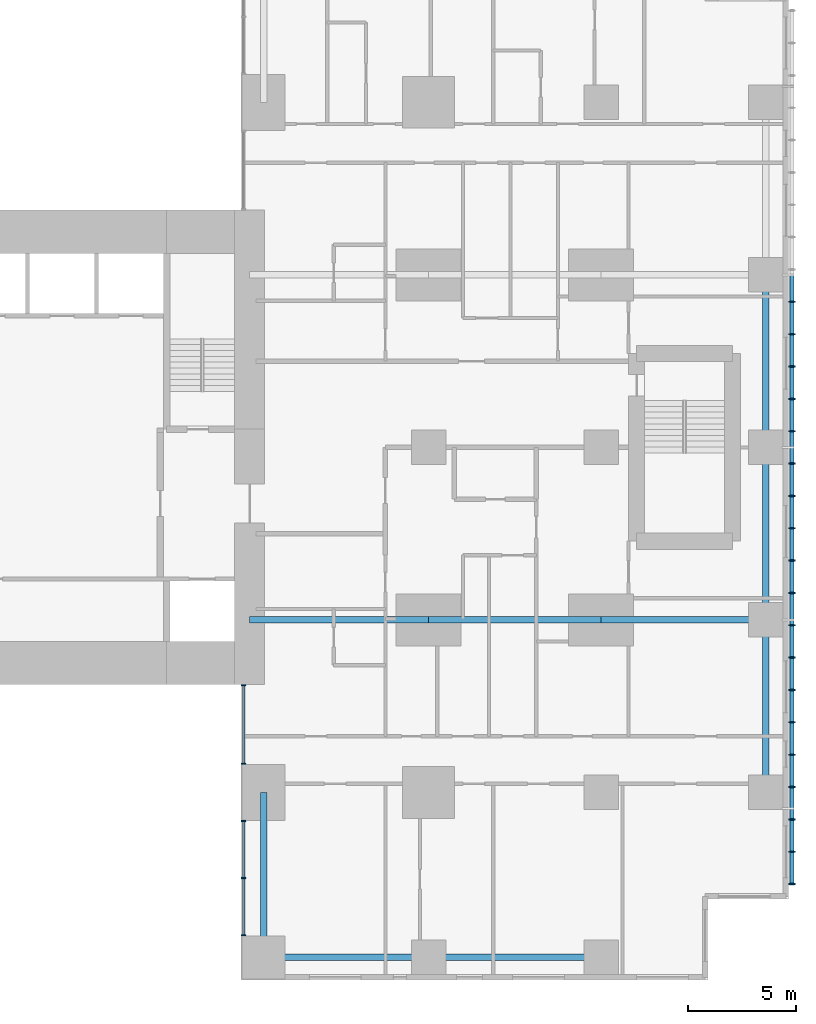
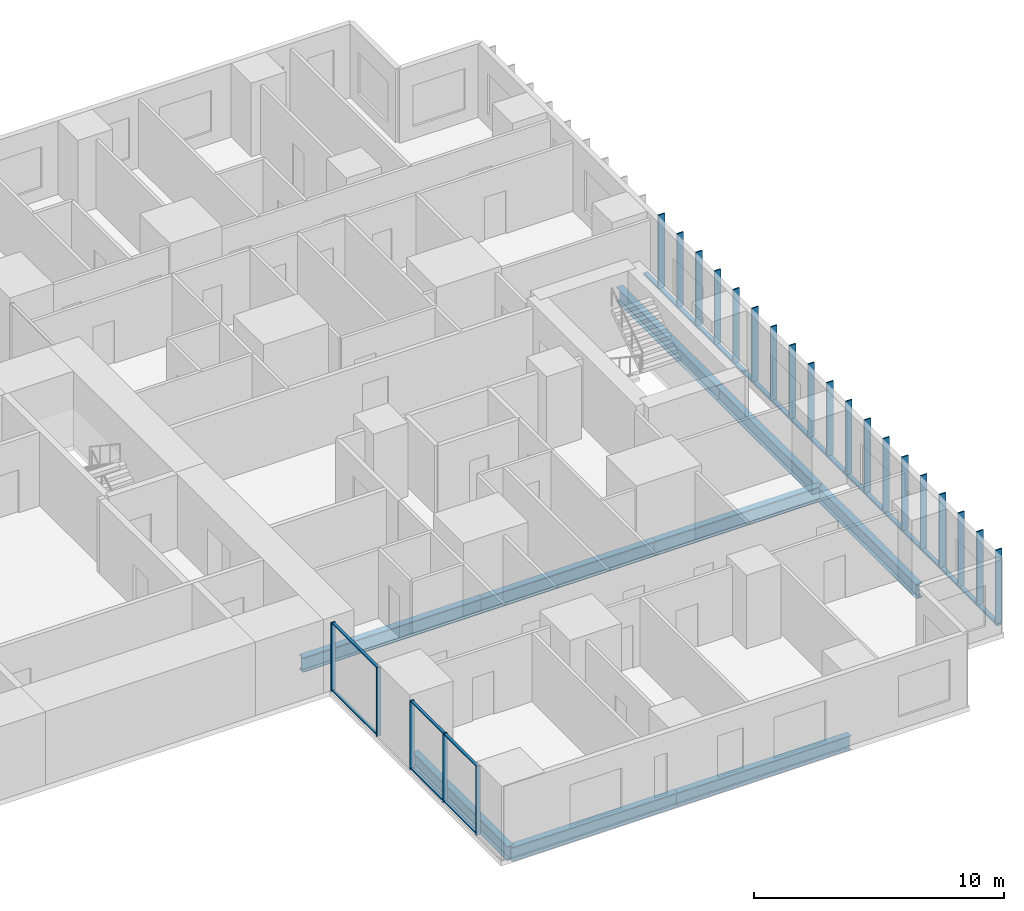
# One storey, part 2 of 12: 33 members, 9 beams, 2 elements without a shape of their own.
"""IFC4 building model written with IfcOpenShell, lengths in metres."""

from ifc_helpers import new_model, si_unit, direction, frame, origin, origin_2d, place, context, subcontext, project, spatial, rectangle, hollow_rectangle, i_section, extrude, material, layer, layer_set, material_profile, profile_set, type_object, element, aggregate, save


model = new_model("IFC4")

# Units and contexts
model_context = context("Model", 3, precision=1e-05, world=origin(), true_north=direction((0.0, 1.0)))
body_context = subcontext(model_context, "Body", "Model", "MODEL_VIEW")
ifc_project = project(units=[si_unit("LENGTHUNIT", "METRE"), si_unit("AREAUNIT", "SQUARE_METRE"), si_unit("VOLUMEUNIT", "CUBIC_METRE"), si_unit("PLANEANGLEUNIT", "RADIAN"), si_unit("MASSUNIT", "GRAM", prefix="KILO")], contexts=[model_context])

# Site, building, storey
site_placement = place(None, origin())
site = spatial("IfcSite", under=ifc_project, at=site_placement, CompositionType="ELEMENT")
building_placement = place(site_placement, origin())
building = spatial("IfcBuilding", under=site, at=building_placement, Name="Cleftline Residences", CompositionType="ELEMENT")
storey_placement = place(building_placement, frame((0.0, 0.0, 244.800048828125)))
storey = spatial("IfcBuildingStorey", under=building, at=storey_placement, Name="L64", CompositionType="ELEMENT", Elevation=244.800048828125)

# Members
ifc_material_1 = material(Name="Steel S355, hot-dip galvanised", Category="steel")
ifc_material_profile_1 = material_profile(ifc_material_1, hollow_rectangle(XDim=0.10009765625, YDim=0.199951171875, WallThickness=0.008056640625, InnerFilletRadius=0.008056640625, OuterFilletRadius=0.011962890625, at=origin_2d()))
ifc_profile_set_1 = profile_set([ifc_material_profile_1], Name="Steel S355, hot-dip galvanised")
member_type_1 = type_object("IfcMemberType", Name="BAGUETTE CARRIER RHS 200X100X8", PredefinedType="USERDEFINED", material=ifc_profile_set_1)
member_1_placement = place(storey_placement, frame((66.85009765625, 3.699951171875, -0.050048828125), z_axis=(0.0, 1.0, 0.0), x_axis=(0.0, 0.0, 1.0)))
element("IfcMember", 1, at=member_1_placement, inside=storey, type_object=member_type_1, Name="Baguette carrier", ObjectType="BAGUETTE CARRIER", PredefinedType="USERDEFINED", context=body_context, shape_type="SweptSolid", body=[
    extrude(hollow_rectangle(XDim=0.10009765625, YDim=0.199951171875, WallThickness=0.008056640625, InnerFilletRadius=0.008056640625, OuterFilletRadius=0.011962890625, at=origin_2d()), origin(), (0.0, 0.0, 1.0), 12.300048828125),
])
for number, where, z_axis, x_axis, name in (
    (2, (66.85009765625, 16.0, -0.050048828125), (0.0, 1.0, 0.0), (0.0, 0.0, 1.0), "Baguette carrier"),
    (3, (66.85009765625, 24.0, -0.050048828125), (0.0, 1.0, 0.0), (0.0, 0.0, 1.0), "Baguette carrier"),
):
    element("IfcMember", number, at=place(storey_placement, frame(where, z_axis=z_axis, x_axis=x_axis)), inside=storey, type_object=member_type_1, Name=name, ObjectType="BAGUETTE CARRIER", PredefinedType="USERDEFINED", context=body_context, shape_type="SweptSolid", body=[
        extrude(hollow_rectangle(XDim=0.10009765625, YDim=0.199951171875, WallThickness=0.008056640625, InnerFilletRadius=0.008056640625, OuterFilletRadius=0.011962890625, at=origin_2d()), origin(), (0.0, 0.0, 1.0), 8.0),
    ])

# Beams
ifc_material_2 = material(Name="Steel S355", Category="steel")
ifc_material_profile_2 = material_profile(ifc_material_2, i_section(OverallWidth=0.300048828125, OverallDepth=0.699951171875, WebThickness=0.01708984375, FlangeThickness=0.031982421875, FilletRadius=0.027099609375, at=origin_2d()))
ifc_profile_set_2 = profile_set([ifc_material_profile_2], Name="Steel S355")
beam_type_1 = type_object("IfcBeamType", Name="BEAM HEB 700", PredefinedType="BEAM", material=ifc_profile_set_2)
for number, where, z_axis, x_axis, name in (
    (4, (65.64990234375, 8.0, -0.60009765625), (0.0, 1.0, 0.0), (-1.0, 0.0, 0.0), "Edge beam"),
    (5, (65.64990234375, 16.0, -0.60009765625), (0.0, 1.0, 0.0), (-1.0, 0.0, 0.0), "Edge beam"),
    (6, (65.64990234375, 24.0, -0.60009765625), (0.0, 1.0, 0.0), (-1.0, 0.0, 0.0), "Edge beam"),
    (7, (58.0, 0.35009765625, -0.60009765625), (-1.0, 0.0, 0.0), (0.0, -1.0, 0.0), "Edge beam"),
):
    element("IfcBeam", number, at=place(storey_placement, frame(where, z_axis=z_axis, x_axis=x_axis)), inside=storey, type_object=beam_type_1, Name=name, PredefinedType="BEAM", context=body_context, shape_type="SweptSolid", body=[
        extrude(i_section(OverallWidth=0.300048828125, OverallDepth=0.699951171875, WebThickness=0.01708984375, FlangeThickness=0.031982421875, FilletRadius=0.027099609375, at=origin_2d()), origin(), (0.0, 0.0, 1.0), 8.0),
    ])
for number, where, z_axis, x_axis, name in (
    (8, (50.0, 0.35009765625, -0.60009765625), (-1.0, 0.0, 0.0), (0.0, -1.0, 0.0), "Edge beam"),
    (9, (42.35009765625, 0.35009765625, -0.60009765625), (0.0, 1.0, 0.0), (-1.0, 0.0, 0.0), "Edge beam"),
):
    element("IfcBeam", number, at=place(storey_placement, frame(where, z_axis=z_axis, x_axis=x_axis)), inside=storey, type_object=beam_type_1, Name=name, PredefinedType="BEAM", context=body_context, shape_type="SweptSolid", body=[
        extrude(i_section(OverallWidth=0.300048828125, OverallDepth=0.699951171875, WebThickness=0.01708984375, FlangeThickness=0.031982421875, FilletRadius=0.027099609375, at=origin_2d()), origin(), (0.0, 0.0, 1.0), 7.64990234375),
    ])
ifc_material_3 = material(Name="Steel S355", Category="steel")
ifc_material_profile_3 = material_profile(ifc_material_3, i_section(OverallWidth=0.303955078125, OverallDepth=0.716064453125, WebThickness=0.02099609375, FlangeThickness=0.0400390625, FilletRadius=0.027099609375, at=origin_2d()))
ifc_profile_set_3 = profile_set([ifc_material_profile_3], Name="Steel S355")
beam_type_2 = type_object("IfcBeamType", Name="BEAM HEM 700", PredefinedType="BEAM", material=ifc_profile_set_3)
beam_1_placement = place(storey_placement, frame((65.64990234375, 16.0, -0.608154296875), z_axis=(-1.0, 0.0, 0.0), x_axis=(0.0, -1.0, 0.0)))
element("IfcBeam", 10, at=beam_1_placement, inside=storey, type_object=beam_type_2, Name="Band beam", PredefinedType="BEAM", context=body_context, shape_type="SweptSolid", body=[
    extrude(i_section(OverallWidth=0.303955078125, OverallDepth=0.716064453125, WebThickness=0.02099609375, FlangeThickness=0.0400390625, FilletRadius=0.027099609375, at=origin_2d()), origin(), (0.0, 0.0, 1.0), 7.64990234375),
])
beam_2_placement = place(storey_placement, frame((58.0, 16.0, -0.608154296875), z_axis=(-1.0, 0.0, 0.0), x_axis=(0.0, -1.0, 0.0)))
element("IfcBeam", 11, at=beam_2_placement, inside=storey, type_object=beam_type_2, Name="Band beam", PredefinedType="BEAM", context=body_context, shape_type="SweptSolid", body=[
    extrude(i_section(OverallWidth=0.303955078125, OverallDepth=0.716064453125, WebThickness=0.02099609375, FlangeThickness=0.0400390625, FilletRadius=0.027099609375, at=origin_2d()), origin(), (0.0, 0.0, 1.0), 8.0),
])
beam_3_placement = place(storey_placement, frame((50.0, 16.0, -0.608154296875), z_axis=(-1.0, 0.0, 0.0), x_axis=(0.0, -1.0, 0.0)))
element("IfcBeam", 12, at=beam_3_placement, inside=storey, type_object=beam_type_2, Name="Band beam", PredefinedType="BEAM", context=body_context, shape_type="SweptSolid", body=[
    extrude(i_section(OverallWidth=0.303955078125, OverallDepth=0.716064453125, WebThickness=0.02099609375, FlangeThickness=0.0400390625, FilletRadius=0.027099609375, at=origin_2d()), origin(), (0.0, 0.0, 1.0), 8.300048828125),
])

# Curtain wall, members
ifc_material_4 = material(Name="Aluminium framed curtain wall", Category="aluminium")
ifc_layer = layer(ifc_material_4, 0.199951171875)
ifc_layer_set = layer_set([ifc_layer], Name="CW1 CLEFT GLAZING")
curtain_wall_type = type_object("IfcCurtainWallType", Name="CW1 CLEFT GLAZING", PredefinedType="NOTDEFINED", material=ifc_layer_set)
curtain_wall_1_placement = place(storey_placement, origin())
curtain_wall_1 = element("IfcCurtainWall", 13, at=curtain_wall_1_placement, inside=storey, type_object=curtain_wall_type, Name="Curtain wall CW1", PredefinedType="NOTDEFINED")
ifc_material_5 = material(Name="Aluminium mullion", Category="aluminium")
ifc_material_profile_4 = material_profile(ifc_material_5, rectangle(XDim=0.199951171875, YDim=0.06005859375, at=origin_2d()))
ifc_profile_set_4 = profile_set([ifc_material_profile_4], Name="Aluminium mullion")
member_type_2 = type_object("IfcMemberType", Name="CW1 MULLION", PredefinedType="MULLION", material=ifc_profile_set_4)
member_2_placement = place(storey_placement, frame((41.425048828125, 12.969970703125, 0.0), z_axis=(0.0, 0.0, 1.0), x_axis=(1.0, 0.0, 0.0)))
member_2 = element("IfcMember", 14, at=member_2_placement, type_object=member_type_2, Name="CW1 mullion 1", PredefinedType="MULLION", context=body_context, shape_type="SweptSolid", body=[
    extrude(rectangle(XDim=0.199951171875, YDim=0.06005859375, at=origin_2d()), origin(), (0.0, 0.0, 1.0), 3.349853515625),
])
member_3_placement = place(storey_placement, frame((41.425048828125, 9.330078125, 0.0), z_axis=(0.0, 0.0, 1.0), x_axis=(1.0, 0.0, 0.0)))
member_3 = element("IfcMember", 15, at=member_3_placement, type_object=member_type_2, Name="CW1 mullion 2", PredefinedType="MULLION", context=body_context, shape_type="SweptSolid", body=[
    extrude(rectangle(XDim=0.199951171875, YDim=0.06005859375, at=origin_2d()), origin(), (0.0, 0.0, 1.0), 3.349853515625),
])

curtain_wall_2_placement = place(storey_placement, origin())
curtain_wall_2 = element("IfcCurtainWall", 16, at=curtain_wall_2_placement, inside=storey, type_object=curtain_wall_type, Name="Curtain wall CW1", PredefinedType="NOTDEFINED")
member_4_placement = place(storey_placement, frame((41.425048828125, 6.669921875, 0.0), z_axis=(0.0, 0.0, 1.0), x_axis=(1.0, 0.0, 0.0)))
member_4 = element("IfcMember", 17, at=member_4_placement, type_object=member_type_2, Name="CW1 mullion 1", PredefinedType="MULLION", context=body_context, shape_type="SweptSolid", body=[
    extrude(rectangle(XDim=0.199951171875, YDim=0.06005859375, at=origin_2d()), origin(), (0.0, 0.0, 1.0), 3.349853515625),
])
member_5_placement = place(storey_placement, frame((41.425048828125, 4.02490234375, 0.0), z_axis=(0.0, 0.0, 1.0), x_axis=(1.0, 0.0, 0.0)))
member_5 = element("IfcMember", 18, at=member_5_placement, type_object=member_type_2, Name="CW1 mullion 2", PredefinedType="MULLION", context=body_context, shape_type="SweptSolid", body=[
    extrude(rectangle(XDim=0.199951171875, YDim=0.06005859375, at=origin_2d()), origin(), (0.0, 0.0, 1.0), 3.349853515625),
])
member_6_placement = place(storey_placement, frame((41.425048828125, 1.3798828125, 0.0), z_axis=(0.0, 0.0, 1.0), x_axis=(1.0, 0.0, 0.0)))
member_6 = element("IfcMember", 19, at=member_6_placement, type_object=member_type_2, Name="CW1 mullion 3", PredefinedType="MULLION", context=body_context, shape_type="SweptSolid", body=[
    extrude(rectangle(XDim=0.199951171875, YDim=0.06005859375, at=origin_2d()), origin(), (0.0, 0.0, 1.0), 3.349853515625),
])

# Member
ifc_material_6 = material(Name="Aluminium transom", Category="aluminium")
ifc_material_profile_5 = material_profile(ifc_material_6, rectangle(XDim=0.1201171875, YDim=0.06005859375, at=origin_2d()))
ifc_profile_set_5 = profile_set([ifc_material_profile_5], Name="Aluminium transom")
member_type_3 = type_object("IfcMemberType", Name="CW1 TRANSOM", PredefinedType="USERDEFINED", material=ifc_profile_set_5)
member_7_placement = place(storey_placement, frame((41.425048828125, 12.93994140625, 0.030029296875), z_axis=(0.0, -1.0, 0.0), x_axis=(1.0, 0.0, 0.0)))
member_7 = element("IfcMember", 20, at=member_7_placement, type_object=member_type_3, Name="CW1 transom 1.1", ObjectType="TRANSOM", PredefinedType="USERDEFINED", context=body_context, shape_type="SweptSolid", body=[
    extrude(rectangle(XDim=0.1201171875, YDim=0.06005859375, at=origin_2d()), origin(), (0.0, 0.0, 1.0), 3.579833984375),
])

member_8_placement = place(storey_placement, frame((41.425048828125, 12.93994140625, 3.320068359375), z_axis=(0.0, -1.0, 0.0), x_axis=(1.0, 0.0, 0.0)))
member_8 = element("IfcMember", 21, at=member_8_placement, type_object=member_type_3, Name="CW1 transom 1.2", ObjectType="TRANSOM", PredefinedType="USERDEFINED", context=body_context, shape_type="SweptSolid", body=[
    extrude(rectangle(XDim=0.1201171875, YDim=0.06005859375, at=origin_2d()), origin(), (0.0, 0.0, 1.0), 3.579833984375),
])

aggregate(curtain_wall_1, [member_2, member_3, member_7, member_8])

member_9_placement = place(storey_placement, frame((41.425048828125, 6.639892578125, 0.030029296875), z_axis=(0.0, -1.0, 0.0), x_axis=(1.0, 0.0, 0.0)))
member_9 = element("IfcMember", 22, at=member_9_placement, type_object=member_type_3, Name="CW1 transom 1.1", ObjectType="TRANSOM", PredefinedType="USERDEFINED", context=body_context, shape_type="SweptSolid", body=[
    extrude(rectangle(XDim=0.1201171875, YDim=0.06005859375, at=origin_2d()), origin(), (0.0, 0.0, 1.0), 2.5849609375),
])

member_10_placement = place(storey_placement, frame((41.425048828125, 6.639892578125, 3.320068359375), z_axis=(0.0, -1.0, 0.0), x_axis=(1.0, 0.0, 0.0)))
member_10 = element("IfcMember", 23, at=member_10_placement, type_object=member_type_3, Name="CW1 transom 1.2", ObjectType="TRANSOM", PredefinedType="USERDEFINED", context=body_context, shape_type="SweptSolid", body=[
    extrude(rectangle(XDim=0.1201171875, YDim=0.06005859375, at=origin_2d()), origin(), (0.0, 0.0, 1.0), 2.5849609375),
])

member_11_placement = place(storey_placement, frame((41.425048828125, 3.9951171875, 0.030029296875), z_axis=(0.0, -1.0, 0.0), x_axis=(1.0, 0.0, 0.0)))
member_11 = element("IfcMember", 24, at=member_11_placement, type_object=member_type_3, Name="CW1 transom 2.1", ObjectType="TRANSOM", PredefinedType="USERDEFINED", context=body_context, shape_type="SweptSolid", body=[
    extrude(rectangle(XDim=0.1201171875, YDim=0.06005859375, at=origin_2d()), origin(), (0.0, 0.0, 1.0), 2.585205078125),
])

member_12_placement = place(storey_placement, frame((41.425048828125, 3.9951171875, 3.320068359375), z_axis=(0.0, -1.0, 0.0), x_axis=(1.0, 0.0, 0.0)))
member_12 = element("IfcMember", 25, at=member_12_placement, type_object=member_type_3, Name="CW1 transom 2.2", ObjectType="TRANSOM", PredefinedType="USERDEFINED", context=body_context, shape_type="SweptSolid", body=[
    extrude(rectangle(XDim=0.1201171875, YDim=0.06005859375, at=origin_2d()), origin(), (0.0, 0.0, 1.0), 2.585205078125),
])

aggregate(curtain_wall_2, [member_4, member_5, member_6, member_9, member_10, member_11, member_12])

# Members
ifc_material_7 = material(Name="Extruded terracotta", Category="masonry")
ifc_material_profile_6 = material_profile(ifc_material_7, rectangle(XDim=0.06005859375, YDim=0.300048828125, at=origin_2d()))
ifc_profile_set_6 = profile_set([ifc_material_profile_6], Name="Extruded terracotta")
member_type_4 = type_object("IfcMemberType", Name="TERRACOTTA BAGUETTE 60X300", PredefinedType="USERDEFINED", material=ifc_profile_set_6)
for number, where, z_axis, x_axis, name in (
    (26, (66.85009765625, 3.75, 0.0), (0.0, 0.0, 1.0), (0.0, 1.0, 0.0), "Terracotta baguette"),
    (27, (66.85009765625, 5.25, 0.0), (0.0, 0.0, 1.0), (0.0, 1.0, 0.0), "Terracotta baguette"),
    (28, (66.85009765625, 6.75, 0.0), (0.0, 0.0, 1.0), (0.0, 1.0, 0.0), "Terracotta baguette"),
    (29, (66.85009765625, 8.25, 0.0), (0.0, 0.0, 1.0), (0.0, 1.0, 0.0), "Terracotta baguette"),
    (30, (66.85009765625, 9.75, 0.0), (0.0, 0.0, 1.0), (0.0, 1.0, 0.0), "Terracotta baguette"),
    (31, (66.85009765625, 11.25, 0.0), (0.0, 0.0, 1.0), (0.0, 1.0, 0.0), "Terracotta baguette"),
    (32, (66.85009765625, 12.75, 0.0), (0.0, 0.0, 1.0), (0.0, 1.0, 0.0), "Terracotta baguette"),
    (33, (66.85009765625, 14.25, 0.0), (0.0, 0.0, 1.0), (0.0, 1.0, 0.0), "Terracotta baguette"),
    (34, (66.85009765625, 15.75, 0.0), (0.0, 0.0, 1.0), (0.0, 1.0, 0.0), "Terracotta baguette"),
    (35, (66.85009765625, 17.25, 0.0), (0.0, 0.0, 1.0), (0.0, 1.0, 0.0), "Terracotta baguette"),
    (36, (66.85009765625, 18.75, 0.0), (0.0, 0.0, 1.0), (0.0, 1.0, 0.0), "Terracotta baguette"),
    (37, (66.85009765625, 20.25, 0.0), (0.0, 0.0, 1.0), (0.0, 1.0, 0.0), "Terracotta baguette"),
    (38, (66.85009765625, 21.75, 0.0), (0.0, 0.0, 1.0), (0.0, 1.0, 0.0), "Terracotta baguette"),
    (39, (66.85009765625, 23.25, 0.0), (0.0, 0.0, 1.0), (0.0, 1.0, 0.0), "Terracotta baguette"),
    (40, (66.85009765625, 24.75, 0.0), (0.0, 0.0, 1.0), (0.0, 1.0, 0.0), "Terracotta baguette"),
    (41, (66.85009765625, 26.25, 0.0), (0.0, 0.0, 1.0), (0.0, 1.0, 0.0), "Terracotta baguette"),
    (42, (66.85009765625, 27.75, 0.0), (0.0, 0.0, 1.0), (0.0, 1.0, 0.0), "Terracotta baguette"),
    (43, (66.85009765625, 29.25, 0.0), (0.0, 0.0, 1.0), (0.0, 1.0, 0.0), "Terracotta baguette"),
    (44, (66.85009765625, 30.75, 0.0), (0.0, 0.0, 1.0), (0.0, 1.0, 0.0), "Terracotta baguette"),
):
    element("IfcMember", number, at=place(storey_placement, frame(where, z_axis=z_axis, x_axis=x_axis)), inside=storey, type_object=member_type_4, Name=name, ObjectType="BAGUETTE", PredefinedType="USERDEFINED", context=body_context, shape_type="SweptSolid", body=[
        extrude(rectangle(XDim=0.06005859375, YDim=0.300048828125, at=origin_2d()), origin(), (0.0, 0.0, 1.0), 3.599853515625),
    ])

save(model, "model.ifc")
